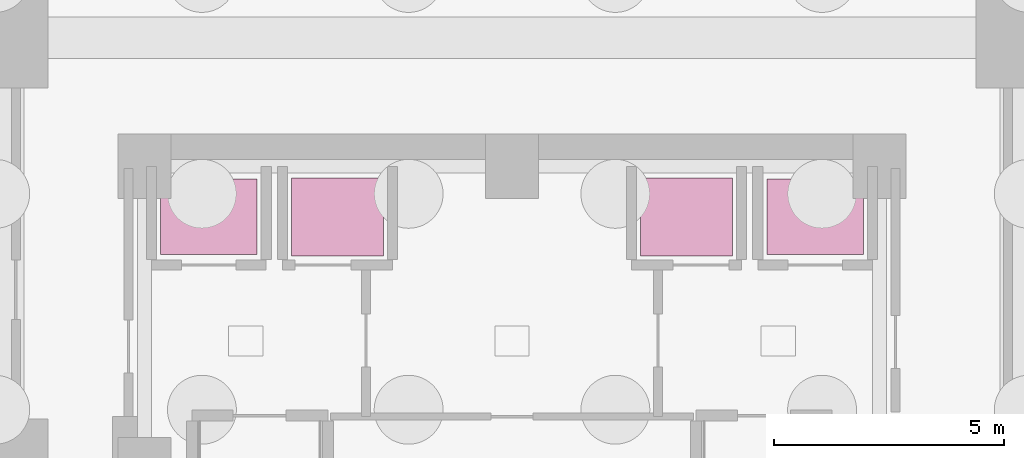
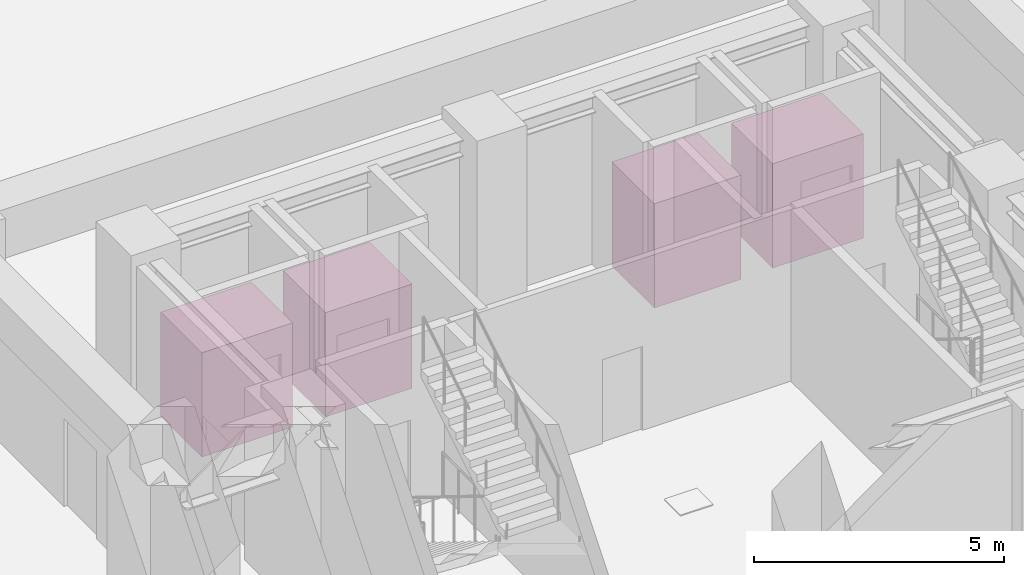
# One storey, part 10 of 10: 4 transport elements.
"""IFC4 building model written with IfcOpenShell, lengths in metres."""

from ifc_helpers import new_model, si_unit, direction, frame, origin, origin_2d, place, context, subcontext, project, spatial, rectangle, extrude, material, type_object, element, save


model = new_model("IFC4")

# Units and contexts
model_context = context("Model", 3, precision=1e-05, world=origin(), true_north=direction((0.0, 1.0)))
body_context = subcontext(model_context, "Body", "Model", "MODEL_VIEW")
ifc_project = project(units=[si_unit("LENGTHUNIT", "METRE"), si_unit("AREAUNIT", "SQUARE_METRE"), si_unit("VOLUMEUNIT", "CUBIC_METRE"), si_unit("PLANEANGLEUNIT", "RADIAN"), si_unit("MASSUNIT", "GRAM", prefix="KILO")], contexts=[model_context])

# Site, building, storey
site_placement = place(None, origin())
site = spatial("IfcSite", under=ifc_project, at=site_placement, CompositionType="ELEMENT")
building_placement = place(site_placement, origin())
building = spatial("IfcBuilding", under=site, at=building_placement, Name="Ndelora Gate Hotel", CompositionType="ELEMENT")
storey_placement = place(building_placement, frame((0.0, 0.0, -13.5)))
storey = spatial("IfcBuildingStorey", under=building, at=storey_placement, Name="B03", CompositionType="ELEMENT", Elevation=-13.5)

# Transport elements
ifc_material = material(Name="Stainless Steel and Architectural Bronze Cab", Category="steel")
transport_element_type_1 = type_object("IfcTransportElementType", Name="LFT-FIRE-2000", PredefinedType="ELEVATOR", material=ifc_material)
for number, where, z_axis, x_axis, name in (
    (1, (-6.60009765625, 5.5, 0.0), (0.0, 0.0, 1.0), (1.0, 0.0, 0.0), "Elevator FFL1 (FIREFIGHTING B03-L74, 1800 kg)"),
    (2, (6.60009765625, 5.5, 0.0), (0.0, 0.0, 1.0), (1.0, 0.0, 0.0), "Elevator FFL2 (FIREFIGHTING B03-L74, 1800 kg)"),
):
    element("IfcTransportElement", number, at=place(storey_placement, frame(where, z_axis=z_axis, x_axis=x_axis)), inside=storey, type_object=transport_element_type_1, Name=name, PredefinedType="ELEVATOR", context=body_context, shape_type="SweptSolid", body=[
        extrude(rectangle(XDim=2.10009765625, YDim=1.64990234375, at=origin_2d()), origin(), (0.0, 0.0, 1.0), 2.550048828125),
    ])
transport_element_type_2 = type_object("IfcTransportElementType", Name="LFT-SERV-2500", PredefinedType="ELEVATOR", material=ifc_material)
for number, where, z_axis, x_axis, name in (
    (3, (-3.800048828125, 5.5, 0.0), (0.0, 0.0, 1.0), (1.0, 0.0, 0.0), "Elevator SVL1 (SERVICE B03-L74, 2000 kg)"),
    (4, (3.800048828125, 5.5, 0.0), (0.0, 0.0, 1.0), (1.0, 0.0, 0.0), "Elevator SVL2 (SERVICE B03-L74, 2000 kg)"),
):
    element("IfcTransportElement", number, at=place(storey_placement, frame(where, z_axis=z_axis, x_axis=x_axis)), inside=storey, type_object=transport_element_type_2, Name=name, PredefinedType="ELEVATOR", context=body_context, shape_type="SweptSolid", body=[
        extrude(rectangle(XDim=2.0, YDim=1.699951171875, at=origin_2d()), origin(), (0.0, 0.0, 1.0), 2.550048828125),
    ])

save(model, "model.ifc")
